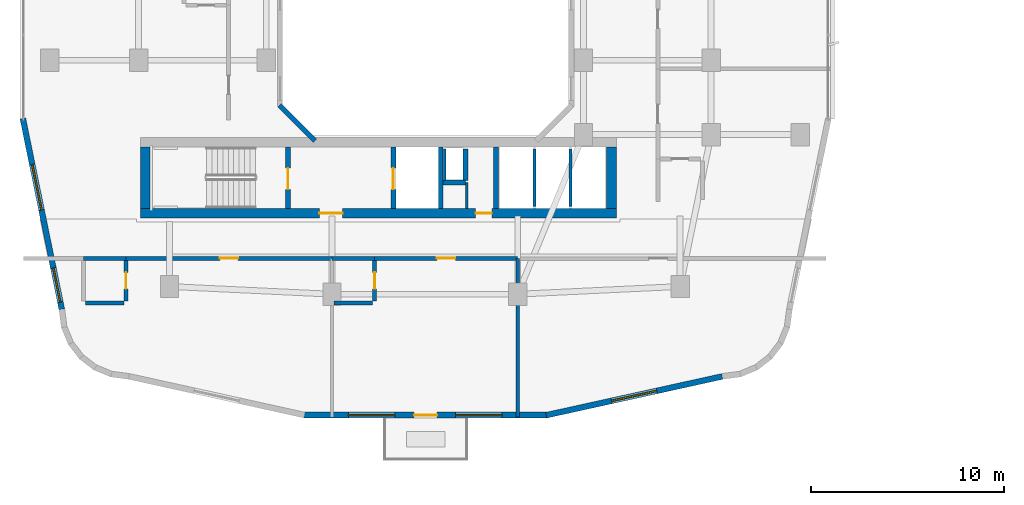
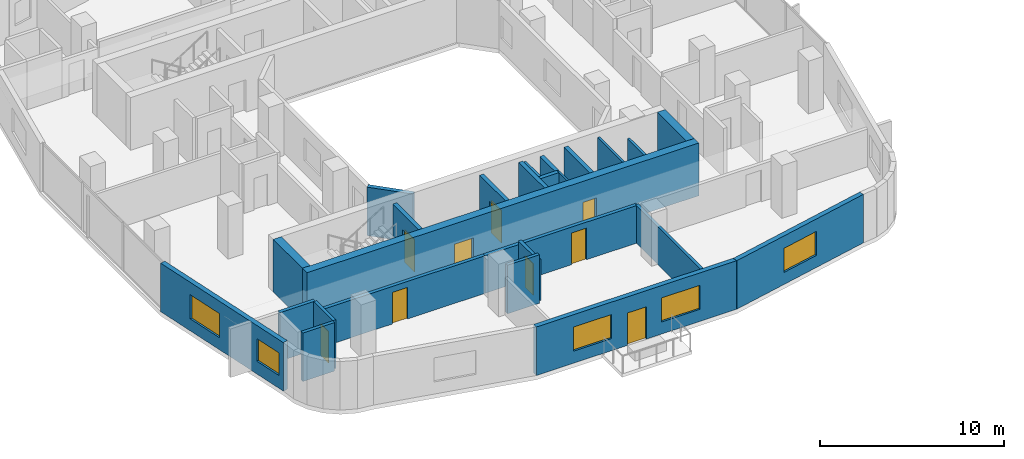
# One storey, part 8 of 22: 26 walls, 9 doors, 5 windows, 14 openings.
"""IFC4 building model written with IfcOpenShell, lengths in metres."""

from ifc_helpers import new_model, si_unit, derived_unit, direction, frame, frame_2d, origin, place, context, subcontext, project, spatial, rectangle, extrude, material, layer, layer_set, type_object, element, fill, save


model = new_model("IFC4")

# Units and contexts
model_context = context("Model", 3, precision=1e-05, world=origin(), true_north=direction((0.0, 1.0)))
body_context = subcontext(model_context, "Body", "Model", "MODEL_VIEW")
ifc_project = project(units=[si_unit("LENGTHUNIT", "METRE"), si_unit("AREAUNIT", "SQUARE_METRE"), si_unit("VOLUMEUNIT", "CUBIC_METRE"), si_unit("PLANEANGLEUNIT", "RADIAN"), si_unit("MASSUNIT", "GRAM", prefix="KILO"), derived_unit("THERMALTRANSMITTANCEUNIT", [(si_unit("POWERUNIT", "WATT"), 1), (si_unit("LENGTHUNIT", "METRE"), -2), (si_unit("THERMODYNAMICTEMPERATUREUNIT", "KELVIN"), -1)])], contexts=[model_context])

# Site, building, storey
site_placement = place(None, origin())
site = spatial("IfcSite", under=ifc_project, at=site_placement, CompositionType="ELEMENT")
building_placement = place(site_placement, origin())
building = spatial("IfcBuilding", under=site, at=building_placement, Name="Kivonza Crest Hotel", CompositionType="ELEMENT")
storey_placement = place(building_placement, frame((0.0, 0.0, 69.5)))
storey = spatial("IfcBuildingStorey", under=building, at=storey_placement, Name="L18", CompositionType="ELEMENT", Elevation=69.5)

# Walls
ifc_material_1 = material(Name="High-density acoustic masonry inter-tenancy wall", Category="masonry")
ifc_layer_1 = layer(ifc_material_1, 0.179931640625)
ifc_layer_set_1 = layer_set([ifc_layer_1], Name="High-density acoustic masonry inter-tenancy wall")
wall_type_1 = type_object("IfcWallType", Name="WL-ACOU-180", PredefinedType="SOLIDWALL", material=ifc_layer_set_1)
wall_1_placement = place(storey_placement, frame((25.800048828125, 3.06005859375, 0.0), z_axis=(0.0, 0.0, 1.0), x_axis=(0.0, 1.0, 0.0)))
element("IfcWall", 1, at=wall_1_placement, inside=storey, type_object=wall_type_1, Name="L18 interior partition WA-L18-T1S-DIV2", PredefinedType="SOLIDWALL", context=body_context, shape_type="SweptSolid", body=[
    extrude(rectangle(XDim=8.18994140625, YDim=0.179931640625, at=frame_2d((4.094970703125, 0.0))), origin(), (0.0, 0.0, 1.0), 2.4951171875),
])
ifc_material_2 = material(Name="Autoclaved aerated concrete blockwork", Category="masonry")
ifc_layer_2 = layer(ifc_material_2, 0.219970703125)
ifc_layer_set_2 = layer_set([ifc_layer_2], Name="Autoclaved aerated concrete blockwork")
wall_type_2 = type_object("IfcWallType", Name="WL-ACOU-220", PredefinedType="SOLIDWALL", material=ifc_layer_set_2)
wall_2_placement = place(storey_placement, frame((3.35009765625, 11.25, 0.0), z_axis=(0.0, 0.0, 1.0), x_axis=(1.0, 0.0, 0.0)))
element("IfcWall", 2, at=wall_2_placement, inside=storey, type_object=wall_type_2, Name="L18 interior partition WA-L18-S04-BCORR", PredefinedType="SOLIDWALL", context=body_context, shape_type="SweptSolid", body=[
    extrude(rectangle(XDim=2.199951171875, YDim=0.219970703125, at=frame_2d((1.10009765625, 0.0))), origin(), (0.0, 0.0, 1.0), 3.219970703125),
])

# Wall, opening, door
wall_3_placement = place(storey_placement, frame((5.550048828125, 11.25, 0.0), z_axis=(0.0, 0.0, 1.0), x_axis=(1.0, 0.0, 0.0)))
wall_3 = element("IfcWall", 3, at=wall_3_placement, inside=storey, type_object=wall_type_2, Name="L18 interior partition WA-L18-S04-MCORR", PredefinedType="SOLIDWALL", context=body_context, shape_type="SweptSolid", body=[
    extrude(rectangle(XDim=10.64990234375, YDim=0.219970703125, at=frame_2d((5.324951171875, 0.0))), origin(), (0.0, 0.0, 1.0), 2.4951171875),
])
opening_1_placement = place(wall_3_placement, frame((4.85009765625, 0.0, 0.0)))
opening_1 = element("IfcOpeningElement", 4, at=opening_1_placement, cuts=wall_3, Name="Opening DU-60", PredefinedType="OPENING", context=body_context, shape_type="SweptSolid", body=[
    extrude(rectangle(XDim=0.949951171875, YDim=2.10009765625, at=frame_2d((0.47509765625, 1.050048828125))), frame((0.0, 0.1201171875, 0.0), z_axis=(0.0, -1.0, 0.0), x_axis=(1.0, 0.0, 0.0)), (0.0, 0.0, 1.0), 0.239990234375),
])
ifc_material_3 = material(Name="Hardwood timber oak", Category="wood")
door_type_1 = type_object("IfcDoorType", Name="DR-UNIT-950", OperationType="NOTDEFINED", PredefinedType="DOOR", material=ifc_material_3)
door_1_placement = place(opening_1_placement, frame((0.949951171875, 0.0, 0.0), z_axis=(0.0, 0.0, 1.0), x_axis=(-1.0, 0.0, 0.0)))
door_1 = element("IfcDoor", 5, at=door_1_placement, inside=storey, type_object=door_type_1, Name="L18 S04 guest unit entrance fire door", OperationType="SINGLE_SWING_RIGHT", OverallHeight=2.10009765625, OverallWidth=0.949951171875, PredefinedType="DOOR", context=body_context, shape_type="SweptSolid", body=[
    extrude(rectangle(XDim=0.949951171875, YDim=2.10009765625, at=frame_2d((0.47509765625, 1.050048828125))), frame((0.0, 0.02490234375, 0.0), z_axis=(0.0, -1.0, 0.0), x_axis=(1.0, 0.0, 0.0)), (0.0, 0.0, 1.0), 0.050048828125),
])
fill(opening_1, door_1)

# Wall
wall_4_placement = place(storey_placement, frame((16.199951171875, 11.25, 0.0), z_axis=(0.0, 0.0, 1.0), x_axis=(1.0, 0.0, 0.0)))
element("IfcWall", 6, at=wall_4_placement, inside=storey, type_object=wall_type_2, Name="L18 interior partition WA-L18-S05-BCORR", PredefinedType="SOLIDWALL", context=body_context, shape_type="SweptSolid", body=[
    extrude(rectangle(XDim=2.199951171875, YDim=0.219970703125, at=frame_2d((1.10009765625, 0.0))), origin(), (0.0, 0.0, 1.0), 2.4951171875),
])

# Wall, opening, door
wall_5_placement = place(storey_placement, frame((18.39990234375, 11.25, 0.0), z_axis=(0.0, 0.0, 1.0), x_axis=(1.0, 0.0, 0.0)))
wall_5 = element("IfcWall", 7, at=wall_5_placement, inside=storey, type_object=wall_type_2, Name="L18 interior partition WA-L18-S05-MCORR", PredefinedType="SOLIDWALL", context=body_context, shape_type="SweptSolid", body=[
    extrude(rectangle(XDim=7.400146484375, YDim=0.219970703125, at=frame_2d((3.7001953125, 0.0))), origin(), (0.0, 0.0, 1.0), 2.4951171875),
])
opening_2_placement = place(wall_5_placement, frame((3.22509765625, 0.0, 0.0)))
opening_2 = element("IfcOpeningElement", 8, at=opening_2_placement, cuts=wall_5, Name="Opening DU-60", PredefinedType="OPENING", context=body_context, shape_type="SweptSolid", body=[
    extrude(rectangle(XDim=0.949951171875, YDim=2.10009765625, at=frame_2d((0.47509765625, 1.050048828125))), frame((0.0, 0.1201171875, 0.0), z_axis=(0.0, -1.0, 0.0), x_axis=(1.0, 0.0, 0.0)), (0.0, 0.0, 1.0), 0.239990234375),
])
door_2_placement = place(opening_2_placement, frame((0.949951171875, 0.0, 0.0), z_axis=(0.0, 0.0, 1.0), x_axis=(-1.0, 0.0, 0.0)))
door_2 = element("IfcDoor", 9, at=door_2_placement, inside=storey, type_object=door_type_1, Name="L18 S05 guest unit entrance fire door", OperationType="SINGLE_SWING_LEFT", OverallHeight=2.10009765625, OverallWidth=0.949951171875, PredefinedType="DOOR", context=body_context, shape_type="SweptSolid", body=[
    extrude(rectangle(XDim=0.949951171875, YDim=2.10009765625, at=frame_2d((0.47509765625, 1.050048828125))), frame((0.0, 0.02490234375, 0.0), z_axis=(0.0, -1.0, 0.0), x_axis=(1.0, 0.0, 0.0)), (0.0, 0.0, 1.0), 0.050048828125),
])
fill(opening_2, door_2)

# Wall, openings, doors
ifc_material_4 = material(Name="Concrete C60/75", Category="concrete")
ifc_layer_3 = layer(ifc_material_4, 0.5)
ifc_layer_set_3 = layer_set([ifc_layer_3], Name="Concrete C60/75")
wall_type_3 = type_object("IfcWallType", Name="WL-CORE-500", PredefinedType="SHEAR", material=ifc_layer_set_3)
wall_6_placement = place(storey_placement, frame((6.300048828125, 13.590087890625, 0.0), z_axis=(0.0, 0.0, 1.0), x_axis=(1.0, 0.0, 0.0)))
wall_6 = element("IfcWall", 10, at=wall_6_placement, inside=storey, type_object=wall_type_3, Name="Core wall T1-S South L18", PredefinedType="SHEAR", context=body_context, shape_type="SweptSolid", body=[
    extrude(rectangle(XDim=24.599853515625, YDim=0.5, at=frame_2d((12.2998046875, 0.0))), origin(), (0.0, 0.0, 1.0), 3.5),
])
opening_3_placement = place(wall_6_placement, frame((9.25, 0.0, 0.0)))
opening_3 = element("IfcOpeningElement", 11, at=opening_3_placement, cuts=wall_6, Name="Opening DF-60", PredefinedType="OPENING", context=body_context, shape_type="SweptSolid", body=[
    extrude(rectangle(XDim=1.199951171875, YDim=2.14990234375, at=frame_2d((0.60009765625, 1.074951171875))), frame((0.0, 0.260009765625, 0.0), z_axis=(0.0, -1.0, 0.0), x_axis=(1.0, 0.0, 0.0)), (0.0, 0.0, 1.0), 0.52001953125),
])
opening_4_placement = place(wall_6_placement, frame((17.320068359375, 0.0, 0.0)))
opening_4 = element("IfcOpeningElement", 12, at=opening_4_placement, cuts=wall_6, Name="Opening DF-60R", PredefinedType="OPENING", context=body_context, shape_type="SweptSolid", body=[
    extrude(rectangle(XDim=0.85009765625, YDim=2.10009765625, at=frame_2d((0.425048828125, 1.050048828125))), frame((0.0, 0.260009765625, 0.0), z_axis=(0.0, -1.0, 0.0), x_axis=(1.0, 0.0, 0.0)), (0.0, 0.0, 1.0), 0.52001953125),
])
door_type_2 = type_object("IfcDoorType", Name="DR-FD60-1200", OperationType="NOTDEFINED", PredefinedType="DOOR", material=ifc_material_3)
door_3_placement = place(opening_3_placement, frame((1.199951171875, 0.0, 0.0), z_axis=(0.0, 0.0, 1.0), x_axis=(-1.0, 0.0, 0.0)))
door_3 = element("IfcDoor", 13, at=door_3_placement, inside=storey, type_object=door_type_2, Name="L18 T1-S firefighting lobby fire door", OperationType="SINGLE_SWING_LEFT", OverallHeight=2.14990234375, OverallWidth=1.199951171875, PredefinedType="DOOR", context=body_context, shape_type="SweptSolid", body=[
    extrude(rectangle(XDim=1.199951171875, YDim=2.14990234375, at=frame_2d((0.60009765625, 1.074951171875))), frame((0.0, 0.02490234375, 0.0), z_axis=(0.0, -1.0, 0.0), x_axis=(1.0, 0.0, 0.0)), (0.0, 0.0, 1.0), 0.050048828125),
])
fill(opening_3, door_3)
door_type_3 = type_object("IfcDoorType", Name="DR-FD60-850", OperationType="NOTDEFINED", PredefinedType="DOOR", material=ifc_material_3)
door_4_placement = place(opening_4_placement, frame((0.85009765625, 0.0, 0.0), z_axis=(0.0, 0.0, 1.0), x_axis=(-1.0, 0.0, 0.0)))
door_4 = element("IfcDoor", 14, at=door_4_placement, inside=storey, type_object=door_type_3, Name="L18 T1-S core room door", OperationType="SINGLE_SWING_RIGHT", OverallHeight=2.10009765625, OverallWidth=0.85009765625, PredefinedType="DOOR", context=body_context, shape_type="SweptSolid", body=[
    extrude(rectangle(XDim=0.85009765625, YDim=2.10009765625, at=frame_2d((0.425048828125, 1.050048828125))), frame((0.0, 0.02490234375, 0.0), z_axis=(0.0, -1.0, 0.0), x_axis=(1.0, 0.0, 0.0)), (0.0, 0.0, 1.0), 0.050048828125),
])
fill(opening_4, door_4)

# Walls
for number, where, z_axis, x_axis, name in (
    (15, (6.550048828125, 13.840087890625, 0.0), (0.0, 0.0, 1.0), (0.0, 1.0, 0.0), "Core wall T1-S West L18"),
    (16, (30.64990234375, 13.840087890625, 0.0), (0.0, 0.0, 1.0), (0.0, 1.0, 0.0), "Core wall T1-S East L18"),
):
    element("IfcWall", number, at=place(storey_placement, frame(where, z_axis=z_axis, x_axis=x_axis)), inside=storey, type_object=wall_type_3, Name=name, PredefinedType="SHEAR", context=body_context, shape_type="SweptSolid", body=[
        extrude(rectangle(XDim=3.159912109375, YDim=0.5, at=frame_2d((1.580078125, 0.0))), origin(), (0.0, 0.0, 1.0), 3.5),
    ])
ifc_material_5 = material(Name="Precast concrete C40/50", Category="concrete")
ifc_layer_4 = layer(ifc_material_5, 0.260009765625)
ifc_layer_set_4 = layer_set([ifc_layer_4], Name="Precast concrete C40/50")
wall_type_4 = type_object("IfcWallType", Name="WL-EXT-260", PredefinedType="STANDARD", material=ifc_layer_set_4)
wall_7_placement = place(storey_placement, frame((13.48388671875, 19.172119140625, 0.0), z_axis=(0.0, 0.0, 1.0), x_axis=(0.707106781187, -0.707106781187, 0.0)))
element("IfcWall", 17, at=wall_7_placement, inside=storey, type_object=wall_type_4, Name="L18 T1 light-well exterior wall 8", PredefinedType="STANDARD", context=body_context, shape_type="SweptSolid", body=[
    extrude(rectangle(XDim=2.593994140625, YDim=0.260009765625, at=frame_2d((1.296875, 0.0))), origin(), (0.0, 0.0, 1.0), 3.219970703125),
])

# Wall, openings, door, windows
ifc_layer_5 = layer(ifc_material_5, 0.300048828125)
ifc_layer_set_5 = layer_set([ifc_layer_5], Name="Precast concrete C40/50")
wall_type_5 = type_object("IfcWallType", Name="WL-EXT-300", PredefinedType="STANDARD", material=ifc_layer_set_5)
wall_8_placement = place(storey_placement, frame((14.72705078125, 3.14990234375, 0.0), z_axis=(0.0, 0.0, 1.0), x_axis=(1.0, 0.0, 0.0)))
wall_8 = element("IfcWall", 18, at=wall_8_placement, inside=storey, type_object=wall_type_5, Name="L18 T1 exterior insulated wall 8", PredefinedType="STANDARD", context=body_context, shape_type="SweptSolid", body=[
    extrude(rectangle(XDim=12.591064453125, YDim=0.300048828125, at=frame_2d((6.29541015625, 0.0))), origin(), (0.0, 0.0, 1.0), 3.219970703125),
])
opening_5_placement = place(wall_8_placement, frame((5.712890625, 0.0, 0.0)))
opening_5 = element("IfcOpeningElement", 19, at=opening_5_placement, cuts=wall_8, Name="Opening DT-120", PredefinedType="OPENING", context=body_context, shape_type="SweptSolid", body=[
    extrude(rectangle(XDim=1.199951171875, YDim=2.14990234375, at=frame_2d((0.60009765625, 1.074951171875))), frame((0.0, 0.16015625, 0.0), z_axis=(0.0, -1.0, 0.0), x_axis=(1.0, 0.0, 0.0)), (0.0, 0.0, 1.0), 0.320068359375),
])
opening_6_placement = place(wall_8_placement, frame((2.318115234375, 0.0, 0.800048828125)))
opening_6 = element("IfcOpeningElement", 20, at=opening_6_placement, cuts=wall_8, Name="Opening WN-05", PredefinedType="OPENING", context=body_context, shape_type="SweptSolid", body=[
    extrude(rectangle(XDim=2.39990234375, YDim=1.60009765625, at=frame_2d((1.199951171875, 0.800048828125))), frame((0.0, 0.16015625, 0.0), z_axis=(0.0, -1.0, 0.0), x_axis=(1.0, 0.0, 0.0)), (0.0, 0.0, 1.0), 0.320068359375),
])
opening_7_placement = place(wall_8_placement, frame((7.867919921875, 0.0, 0.800048828125)))
opening_7 = element("IfcOpeningElement", 21, at=opening_7_placement, cuts=wall_8, Name="Opening WN-05", PredefinedType="OPENING", context=body_context, shape_type="SweptSolid", body=[
    extrude(rectangle(XDim=2.39990234375, YDim=1.60009765625, at=frame_2d((1.199951171875, 0.800048828125))), frame((0.0, 0.16015625, 0.0), z_axis=(0.0, -1.0, 0.0), x_axis=(1.0, 0.0, 0.0)), (0.0, 0.0, 1.0), 0.320068359375),
])
ifc_material_6 = material(Name="Anodised bronze aluminium and laminated safety glass", Category="aluminium")
door_type_4 = type_object("IfcDoorType", Name="DR-TERR-1200", OperationType="NOTDEFINED", PredefinedType="DOOR", material=ifc_material_6)
door_5_placement = place(opening_5_placement, frame((1.199951171875, 0.0, 0.0), z_axis=(0.0, 0.0, 1.0), x_axis=(-1.0, 0.0, 0.0)))
door_5 = element("IfcDoor", 22, at=door_5_placement, inside=storey, type_object=door_type_4, Name="T1 L18 SW sky-garden bridge access door", OperationType="SINGLE_SWING_LEFT", OverallHeight=2.14990234375, OverallWidth=1.199951171875, PredefinedType="DOOR", context=body_context, shape_type="SweptSolid", body=[
    extrude(rectangle(XDim=1.199951171875, YDim=2.14990234375, at=frame_2d((0.60009765625, 1.074951171875))), frame((0.0, 0.02490234375, 0.0), z_axis=(0.0, -1.0, 0.0), x_axis=(1.0, 0.0, 0.0)), (0.0, 0.0, 1.0), 0.050048828125),
])
fill(opening_5, door_5)
ifc_material_7 = material(Name="Thermally broken bronze aluminium and low-E double glazing", Category="aluminium")
window_type_1 = type_object("IfcWindowType", Name="WN-240x160", PartitioningType="TRIPLE_PANEL_VERTICAL", PredefinedType="WINDOW", material=ifc_material_7)
window_1_placement = place(opening_6_placement, origin())
window_1 = element("IfcWindow", 23, at=window_1_placement, inside=storey, type_object=window_type_1, Name="L18 T1 facade window 8 bay 1", OverallHeight=1.60009765625, OverallWidth=2.39990234375, PartitioningType="SINGLE_PANEL", PredefinedType="WINDOW", context=body_context, shape_type="SweptSolid", body=[
    extrude(rectangle(XDim=2.39990234375, YDim=1.60009765625, at=frame_2d((1.199951171875, 0.800048828125))), frame((0.0, 0.030029296875, 0.0), z_axis=(0.0, -1.0, 0.0), x_axis=(1.0, 0.0, 0.0)), (0.0, 0.0, 1.0), 0.06005859375),
])
fill(opening_6, window_1)
window_2_placement = place(opening_7_placement, origin())
window_2 = element("IfcWindow", 24, at=window_2_placement, inside=storey, type_object=window_type_1, Name="L18 T1 facade window 8 bay 2", OverallHeight=1.60009765625, OverallWidth=2.39990234375, PartitioningType="SINGLE_PANEL", PredefinedType="WINDOW", context=body_context, shape_type="SweptSolid", body=[
    extrude(rectangle(XDim=2.39990234375, YDim=1.60009765625, at=frame_2d((1.199951171875, 0.800048828125))), frame((0.0, 0.030029296875, 0.0), z_axis=(0.0, -1.0, 0.0), x_axis=(1.0, 0.0, 0.0)), (0.0, 0.0, 1.0), 0.06005859375),
])
fill(opening_7, window_2)

# Wall, opening, window
wall_9_placement = place(storey_placement, frame((27.27197265625, 3.14111328125, 0.0), z_axis=(0.0, 0.0, 1.0), x_axis=(0.976555357219, 0.21526642629, 0.0)))
wall_9 = element("IfcWall", 25, at=wall_9_placement, inside=storey, type_object=wall_type_5, Name="L18 T1 exterior insulated wall 9", PredefinedType="STANDARD", context=body_context, shape_type="SweptSolid", body=[
    extrude(rectangle(XDim=9.322509765625, YDim=0.300048828125, at=frame_2d((4.6611328125, 0.0))), origin(), (0.0, 0.0, 1.0), 3.219970703125),
])
opening_8_placement = place(wall_9_placement, frame((3.4609375, 0.0, 0.800048828125)))
opening_8 = element("IfcOpeningElement", 26, at=opening_8_placement, cuts=wall_9, Name="Opening WN-05", PredefinedType="OPENING", context=body_context, shape_type="SweptSolid", body=[
    extrude(rectangle(XDim=2.39990234375, YDim=1.60009765625, at=frame_2d((1.199951171875, 0.800048828125))), frame((0.0, 0.16015625, 0.0), z_axis=(0.0, -1.0, 0.0), x_axis=(1.0, 0.0, 0.0)), (0.0, 0.0, 1.0), 0.320068359375),
])
window_3_placement = place(opening_8_placement, origin())
window_3 = element("IfcWindow", 27, at=window_3_placement, inside=storey, type_object=window_type_1, Name="L18 T1 facade window 9", OverallHeight=1.60009765625, OverallWidth=2.39990234375, PartitioningType="SINGLE_PANEL", PredefinedType="WINDOW", context=body_context, shape_type="SweptSolid", body=[
    extrude(rectangle(XDim=2.39990234375, YDim=1.60009765625, at=frame_2d((1.199951171875, 0.800048828125))), frame((0.0, 0.030029296875, 0.0), z_axis=(0.0, -1.0, 0.0), x_axis=(1.0, 0.0, 0.0)), (0.0, 0.0, 1.0), 0.06005859375),
])
fill(opening_8, window_3)

# Wall, openings, windows
wall_10_placement = place(storey_placement, frame((0.216064453125, 18.48388671875, 0.0), z_axis=(0.0, 0.0, 1.0), x_axis=(0.199990901713, -0.979797754249, 0.0)))
wall_10 = element("IfcWall", 28, at=wall_10_placement, inside=storey, type_object=wall_type_5, Name="L18 T1 exterior insulated wall 36", PredefinedType="STANDARD", context=body_context, shape_type="SweptSolid", body=[
    extrude(rectangle(XDim=10.065185546875, YDim=0.300048828125, at=frame_2d((5.03271484375, 0.0))), origin(), (0.0, 0.0, 1.0), 3.219970703125),
])
opening_9_placement = place(wall_10_placement, frame((2.428955078125, 0.0, 0.800048828125)))
opening_9 = element("IfcOpeningElement", 29, at=opening_9_placement, cuts=wall_10, Name="Opening WN-05", PredefinedType="OPENING", context=body_context, shape_type="SweptSolid", body=[
    extrude(rectangle(XDim=2.39990234375, YDim=1.60009765625, at=frame_2d((1.199951171875, 0.800048828125))), frame((0.0, 0.16015625, 0.0), z_axis=(0.0, -1.0, 0.0), x_axis=(1.0, 0.0, 0.0)), (0.0, 0.0, 1.0), 0.320068359375),
])
opening_10_placement = place(wall_10_placement, frame((7.886962890625, 0.0, 0.85009765625)))
opening_10 = element("IfcOpeningElement", 30, at=opening_10_placement, cuts=wall_10, Name="Opening WN-03", PredefinedType="OPENING", context=body_context, shape_type="SweptSolid", body=[
    extrude(rectangle(XDim=1.800048828125, YDim=1.5, at=frame_2d((0.89990234375, 0.75))), frame((0.0, 0.16015625, 0.0), z_axis=(0.0, -1.0, 0.0), x_axis=(1.0, 0.0, 0.0)), (0.0, 0.0, 1.0), 0.320068359375),
])
window_type_2 = type_object("IfcWindowType", Name="WN-180x150", PartitioningType="DOUBLE_PANEL_VERTICAL", PredefinedType="WINDOW", material=ifc_material_7)
window_4_placement = place(opening_10_placement, origin())
window_4 = element("IfcWindow", 31, at=window_4_placement, inside=storey, type_object=window_type_2, Name="L18 T1 facade window 36 bay 2", OverallHeight=1.5, OverallWidth=1.800048828125, PartitioningType="SINGLE_PANEL", PredefinedType="WINDOW", context=body_context, shape_type="SweptSolid", body=[
    extrude(rectangle(XDim=1.800048828125, YDim=1.5, at=frame_2d((0.89990234375, 0.75))), frame((0.0, 0.030029296875, 0.0), z_axis=(0.0, -1.0, 0.0), x_axis=(1.0, 0.0, 0.0)), (0.0, 0.0, 1.0), 0.06005859375),
])
fill(opening_10, window_4)
window_5_placement = place(opening_9_placement, origin())
window_5 = element("IfcWindow", 32, at=window_5_placement, inside=storey, type_object=window_type_1, Name="L18 T1 facade window 36 bay 1", OverallHeight=1.60009765625, OverallWidth=2.39990234375, PartitioningType="SINGLE_PANEL", PredefinedType="WINDOW", context=body_context, shape_type="SweptSolid", body=[
    extrude(rectangle(XDim=2.39990234375, YDim=1.60009765625, at=frame_2d((1.199951171875, 0.800048828125))), frame((0.0, 0.030029296875, 0.0), z_axis=(0.0, -1.0, 0.0), x_axis=(1.0, 0.0, 0.0)), (0.0, 0.0, 1.0), 0.06005859375),
])
fill(opening_9, window_5)

# Walls
ifc_material_8 = material(Name="Concrete blockwork fire-compartment wall", Category="masonry")
ifc_layer_6 = layer(ifc_material_8, 0.25)
ifc_layer_set_6 = layer_set([ifc_layer_6], Name="Concrete blockwork fire-compartment wall")
wall_type_6 = type_object("IfcWallType", Name="WL-FIRE-250", PredefinedType="SOLIDWALL", material=ifc_layer_set_6)
wall_11_placement = place(storey_placement, frame((23.10009765625, 15.280029296875, 0.0), z_axis=(0.0, 0.0, 1.0), x_axis=(0.0, 1.0, 0.0)))
element("IfcWall", 33, at=wall_11_placement, inside=storey, type_object=wall_type_6, Name="L18 interior partition WA-L18-T1-S-MEPR-E", PredefinedType="SOLIDWALL", context=body_context, shape_type="SweptSolid", body=[
    extrude(rectangle(XDim=1.619873046875, YDim=0.25, at=frame_2d((0.81005859375, 0.0))), origin(), (0.0, 0.0, 1.0), 3.219970703125),
])
wall_12_placement = place(storey_placement, frame((21.949951171875, 15.179931640625, 0.0), z_axis=(0.0, 0.0, 1.0), x_axis=(1.0, 0.0, 0.0)))
element("IfcWall", 34, at=wall_12_placement, inside=storey, type_object=wall_type_6, Name="L18 interior partition WA-L18-T1-S-MEPR-H", PredefinedType="SOLIDWALL", context=body_context, shape_type="SweptSolid", body=[
    extrude(rectangle(XDim=1.150146484375, YDim=0.25, at=frame_2d((0.5751953125, 0.0))), origin(), (0.0, 0.0, 1.0), 3.219970703125),
])
ifc_material_9 = material(Name="Metal-stud gypsum board partition", Category="gypsum")
ifc_layer_7 = layer(ifc_material_9, 0.125)
ifc_layer_set_7 = layer_set([ifc_layer_7], Name="Metal-stud gypsum board partition")
wall_type_7 = type_object("IfcWallType", Name="WL-PART-125", PredefinedType="PARTITIONING", material=ifc_layer_set_7)
wall_13_placement = place(storey_placement, frame((23.159912109375, 13.840087890625, 0.0), z_axis=(0.0, 0.0, 1.0), x_axis=(0.0, 1.0, 0.0)))
element("IfcWall", 35, at=wall_13_placement, inside=storey, type_object=wall_type_7, Name="L18 interior partition WP-L18-T1-S-SV1V", PredefinedType="PARTITIONING", context=body_context, shape_type="SweptSolid", body=[
    extrude(rectangle(XDim=1.33984375, YDim=0.125, at=frame_2d((0.669921875, 0.0))), origin(), (0.0, 0.0, 1.0), 3.219970703125),
])
ifc_material_10 = material(Name="Twin-stud acoustic gypsum board partition", Category="gypsum")
ifc_layer_8 = layer(ifc_material_10, 0.14990234375)
ifc_layer_set_8 = layer_set([ifc_layer_8], Name="Twin-stud acoustic gypsum board partition")
wall_type_8 = type_object("IfcWallType", Name="WL-PART-150", PredefinedType="PARTITIONING", material=ifc_layer_set_8)
wall_14_placement = place(storey_placement, frame((22.030029296875, 15.280029296875, 0.0), z_axis=(0.0, 0.0, 1.0), x_axis=(0.0, 1.0, 0.0)))
element("IfcWall", 36, at=wall_14_placement, inside=storey, type_object=wall_type_8, Name="L18 interior partition WA-L18-T1-S-MEPR-W", PredefinedType="PARTITIONING", context=body_context, shape_type="SweptSolid", body=[
    extrude(rectangle(XDim=1.619873046875, YDim=0.14990234375, at=frame_2d((0.81005859375, 0.0))), origin(), (0.0, 0.0, 1.0), 3.219970703125),
])
wall_15_placement = place(storey_placement, frame((26.6669921875, 13.93994140625, 0.0), z_axis=(0.0, 0.0, 1.0), x_axis=(0.0, 1.0, 0.0)))
element("IfcWall", 37, at=wall_15_placement, inside=storey, type_object=wall_type_8, Name="L18 interior partition WP-L18-T1-S-BSH-1", PredefinedType="PARTITIONING", context=body_context, shape_type="SweptSolid", body=[
    extrude(rectangle(XDim=2.9599609375, YDim=0.14990234375, at=frame_2d((1.47998046875, 0.0))), origin(), (0.0, 0.0, 1.0), 3.219970703125),
])
wall_16_placement = place(storey_placement, frame((28.532958984375, 13.93994140625, 0.0), z_axis=(0.0, 0.0, 1.0), x_axis=(0.0, 1.0, 0.0)))
element("IfcWall", 38, at=wall_16_placement, inside=storey, type_object=wall_type_8, Name="L18 interior partition WP-L18-T1-S-BSH-2", PredefinedType="PARTITIONING", context=body_context, shape_type="SweptSolid", body=[
    extrude(rectangle(XDim=2.9599609375, YDim=0.14990234375, at=frame_2d((1.47998046875, 0.0))), origin(), (0.0, 0.0, 1.0), 2.4951171875),
])

# Wall, opening, door
ifc_material_11 = material(Name="Moisture-resistant plumbing chase partition wall", Category="gypsum")
ifc_layer_9 = layer(ifc_material_11, 0.199951171875)
ifc_layer_set_9 = layer_set([ifc_layer_9], Name="Moisture-resistant plumbing chase partition wall")
wall_type_9 = type_object("IfcWallType", Name="WL-PLUMB-200", PredefinedType="PLUMBINGWALL", material=ifc_layer_set_9)
wall_17_placement = place(storey_placement, frame((5.550048828125, 9.050048828125, 0.0), z_axis=(0.0, 0.0, 1.0), x_axis=(0.0, 1.0, 0.0)))
wall_17 = element("IfcWall", 39, at=wall_17_placement, inside=storey, type_object=wall_type_9, Name="L18 interior partition WW-L18-S04-BV", PredefinedType="PLUMBINGWALL", context=body_context, shape_type="SweptSolid", body=[
    extrude(rectangle(XDim=2.099853515625, YDim=0.199951171875, at=frame_2d((1.0498046875, 0.0))), origin(), (0.0, 0.0, 1.0), 3.219970703125),
])
opening_11_placement = place(wall_17_placement, frame((0.625, 0.0, 0.0)))
opening_11 = element("IfcOpeningElement", 40, at=opening_11_placement, cuts=wall_17, Name="Opening DI-85", PredefinedType="OPENING", context=body_context, shape_type="SweptSolid", body=[
    extrude(rectangle(XDim=0.85009765625, YDim=2.10009765625, at=frame_2d((0.425048828125, 1.050048828125))), frame((0.0, 0.10986328125, 0.0), z_axis=(0.0, -1.0, 0.0), x_axis=(1.0, 0.0, 0.0)), (0.0, 0.0, 1.0), 0.219970703125),
])
door_type_5 = type_object("IfcDoorType", Name="DR-INT-850", OperationType="NOTDEFINED", PredefinedType="DOOR", material=ifc_material_3)
door_6_placement = place(opening_11_placement, frame((0.85009765625, 0.0, 0.0), z_axis=(0.0, 0.0, 1.0), x_axis=(-1.0, 0.0, 0.0)))
door_6 = element("IfcDoor", 41, at=door_6_placement, inside=storey, type_object=door_type_5, Name="L18 S04 en-suite bathroom door", OperationType="SINGLE_SWING_LEFT", OverallHeight=2.10009765625, OverallWidth=0.85009765625, PredefinedType="DOOR", context=body_context, shape_type="SweptSolid", body=[
    extrude(rectangle(XDim=0.85009765625, YDim=2.10009765625, at=frame_2d((0.425048828125, 1.050048828125))), frame((0.0, 0.02490234375, 0.0), z_axis=(0.0, -1.0, 0.0), x_axis=(1.0, 0.0, 0.0)), (0.0, 0.0, 1.0), 0.050048828125),
])
fill(opening_11, door_6)

# Wall
wall_18_placement = place(storey_placement, frame((3.449951171875, 8.949951171875, 0.0), z_axis=(0.0, 0.0, 1.0), x_axis=(1.0, 0.0, 0.0)))
element("IfcWall", 42, at=wall_18_placement, inside=storey, type_object=wall_type_9, Name="L18 interior partition WW-L18-S04-BH", PredefinedType="PLUMBINGWALL", context=body_context, shape_type="SweptSolid", body=[
    extrude(rectangle(XDim=2.0, YDim=0.199951171875, at=frame_2d((1.0, 0.0))), origin(), (0.0, 0.0, 1.0), 3.219970703125),
])

# Wall, opening, door
wall_19_placement = place(storey_placement, frame((18.39990234375, 9.050048828125, 0.0), z_axis=(0.0, 0.0, 1.0), x_axis=(0.0, 1.0, 0.0)))
wall_19 = element("IfcWall", 43, at=wall_19_placement, inside=storey, type_object=wall_type_9, Name="L18 interior partition WW-L18-S05-BV", PredefinedType="PLUMBINGWALL", context=body_context, shape_type="SweptSolid", body=[
    extrude(rectangle(XDim=2.099853515625, YDim=0.199951171875, at=frame_2d((1.0498046875, 0.0))), origin(), (0.0, 0.0, 1.0), 2.7451171875),
])
opening_12_placement = place(wall_19_placement, frame((0.625, 0.0, 0.0)))
opening_12 = element("IfcOpeningElement", 44, at=opening_12_placement, cuts=wall_19, Name="Opening DI-85", PredefinedType="OPENING", context=body_context, shape_type="SweptSolid", body=[
    extrude(rectangle(XDim=0.85009765625, YDim=2.10009765625, at=frame_2d((0.425048828125, 1.050048828125))), frame((0.0, 0.10986328125, 0.0), z_axis=(0.0, -1.0, 0.0), x_axis=(1.0, 0.0, 0.0)), (0.0, 0.0, 1.0), 0.219970703125),
])
door_7_placement = place(opening_12_placement, frame((0.85009765625, 0.0, 0.0), z_axis=(0.0, 0.0, 1.0), x_axis=(-1.0, 0.0, 0.0)))
door_7 = element("IfcDoor", 45, at=door_7_placement, inside=storey, type_object=door_type_5, Name="L18 S05 en-suite bathroom door", OperationType="SINGLE_SWING_RIGHT", OverallHeight=2.10009765625, OverallWidth=0.85009765625, PredefinedType="DOOR", context=body_context, shape_type="SweptSolid", body=[
    extrude(rectangle(XDim=0.85009765625, YDim=2.10009765625, at=frame_2d((0.425048828125, 1.050048828125))), frame((0.0, 0.02490234375, 0.0), z_axis=(0.0, -1.0, 0.0), x_axis=(1.0, 0.0, 0.0)), (0.0, 0.0, 1.0), 0.050048828125),
])
fill(opening_12, door_7)

# Wall
wall_20_placement = place(storey_placement, frame((16.300048828125, 8.949951171875, 0.0), z_axis=(0.0, 0.0, 1.0), x_axis=(1.0, 0.0, 0.0)))
element("IfcWall", 46, at=wall_20_placement, inside=storey, type_object=wall_type_9, Name="L18 interior partition WW-L18-S05-BH", PredefinedType="PLUMBINGWALL", context=body_context, shape_type="SweptSolid", body=[
    extrude(rectangle(XDim=2.0, YDim=0.199951171875, at=frame_2d((1.0, 0.0))), origin(), (0.0, 0.0, 1.0), 3.219970703125),
])

# Wall, opening, door
ifc_material_12 = material(Name="Concrete C50/60", Category="concrete")
ifc_layer_10 = layer(ifc_material_12, 0.25)
ifc_layer_set_10 = layer_set([ifc_layer_10], Name="Concrete C50/60")
wall_type_10 = type_object("IfcWallType", Name="WL-SHAFT-250", PredefinedType="STANDARD", material=ifc_layer_set_10)
wall_21_placement = place(storey_placement, frame((13.925048828125, 13.840087890625, 0.0), z_axis=(0.0, 0.0, 1.0), x_axis=(0.0, 1.0, 0.0)))
wall_21 = element("IfcWall", 47, at=wall_21_placement, inside=storey, type_object=wall_type_10, Name="Core shaft wall T1-S STAIR L18", PredefinedType="STANDARD", context=body_context, shape_type="SweptSolid", body=[
    extrude(rectangle(XDim=3.159912109375, YDim=0.25, at=frame_2d((1.580078125, 0.0))), origin(), (0.0, 0.0, 1.0), 3.219970703125),
])
opening_13_placement = place(wall_21_placement, frame((0.97998046875, 0.0, 0.0)))
opening_13 = element("IfcOpeningElement", 48, at=opening_13_placement, cuts=wall_21, Name="Opening DF-120", PredefinedType="OPENING", context=body_context, shape_type="SweptSolid", body=[
    extrude(rectangle(XDim=1.10009765625, YDim=2.14990234375, at=frame_2d((0.550048828125, 1.074951171875))), frame((0.0, 0.135009765625, 0.0), z_axis=(0.0, -1.0, 0.0), x_axis=(1.0, 0.0, 0.0)), (0.0, 0.0, 1.0), 0.27001953125),
])
ifc_material_13 = material(Name="Galvanised steel", Category="steel")
door_type_6 = type_object("IfcDoorType", Name="DR-FD120-1100", OperationType="NOTDEFINED", PredefinedType="DOOR", material=ifc_material_13)
door_8_placement = place(opening_13_placement, frame((1.10009765625, 0.0, 0.0), z_axis=(0.0, 0.0, 1.0), x_axis=(-1.0, 0.0, 0.0)))
door_8 = element("IfcDoor", 49, at=door_8_placement, inside=storey, type_object=door_type_6, Name="L18 T1-S stair fire door", OperationType="SINGLE_SWING_RIGHT", OverallHeight=2.14990234375, OverallWidth=1.10009765625, PredefinedType="DOOR", context=body_context, shape_type="SweptSolid", body=[
    extrude(rectangle(XDim=1.10009765625, YDim=2.14990234375, at=frame_2d((0.550048828125, 1.074951171875))), frame((0.0, 0.02490234375, 0.0), z_axis=(0.0, -1.0, 0.0), x_axis=(1.0, 0.0, 0.0)), (0.0, 0.0, 1.0), 0.050048828125),
])
fill(opening_13, door_8)

wall_22_placement = place(storey_placement, frame((19.375, 13.840087890625, 0.0), z_axis=(0.0, 0.0, 1.0), x_axis=(0.0, 1.0, 0.0)))
wall_22 = element("IfcWall", 50, at=wall_22_placement, inside=storey, type_object=wall_type_10, Name="Core shaft wall T1-S FFL-W L18", PredefinedType="STANDARD", context=body_context, shape_type="SweptSolid", body=[
    extrude(rectangle(XDim=3.159912109375, YDim=0.25, at=frame_2d((1.580078125, 0.0))), origin(), (0.0, 0.0, 1.0), 3.219970703125),
])
opening_14_placement = place(wall_22_placement, frame((0.97998046875, 0.0, 0.0)))
opening_14 = element("IfcOpeningElement", 51, at=opening_14_placement, cuts=wall_22, Name="Opening LD-120", PredefinedType="OPENING", context=body_context, shape_type="SweptSolid", body=[
    extrude(rectangle(XDim=1.10009765625, YDim=2.14990234375, at=frame_2d((0.550048828125, 1.074951171875))), frame((0.0, 0.135009765625, 0.0), z_axis=(0.0, -1.0, 0.0), x_axis=(1.0, 0.0, 0.0)), (0.0, 0.0, 1.0), 0.27001953125),
])
ifc_material_14 = material(Name="Stainless steel", Category="steel")
door_type_7 = type_object("IfcDoorType", Name="DR-LD120-1100", OperationType="NOTDEFINED", PredefinedType="DOOR", material=ifc_material_14)
door_9_placement = place(opening_14_placement, origin())
door_9 = element("IfcDoor", 52, at=door_9_placement, inside=storey, type_object=door_type_7, Name="L18 FFL-T1-S firefighting lift sliding landing door", OperationType="DOUBLE_DOOR_SLIDING", OverallHeight=2.14990234375, OverallWidth=1.10009765625, PredefinedType="DOOR", context=body_context, shape_type="SweptSolid", body=[
    extrude(rectangle(XDim=1.10009765625, YDim=2.14990234375, at=frame_2d((0.550048828125, 1.074951171875))), frame((0.0, 0.02490234375, 0.0), z_axis=(0.0, -1.0, 0.0), x_axis=(1.0, 0.0, 0.0)), (0.0, 0.0, 1.0), 0.050048828125),
])
fill(opening_14, door_9)

# Walls
for number, where, z_axis, x_axis, name in (
    (53, (21.824951171875, 13.840087890625, 0.0), (0.0, 0.0, 1.0), (0.0, 1.0, 0.0), "Core shaft wall T1-S FFL-E L18"),
    (54, (24.675048828125, 13.840087890625, 0.0), (0.0, 0.0, 1.0), (0.0, 1.0, 0.0), "Core shaft wall T1-S BANK-W L18"),
):
    element("IfcWall", number, at=place(storey_placement, frame(where, z_axis=z_axis, x_axis=x_axis)), inside=storey, type_object=wall_type_10, Name=name, PredefinedType="STANDARD", context=body_context, shape_type="SweptSolid", body=[
        extrude(rectangle(XDim=3.159912109375, YDim=0.25, at=frame_2d((1.580078125, 0.0))), origin(), (0.0, 0.0, 1.0), 3.219970703125),
    ])

save(model, "model.ifc")
